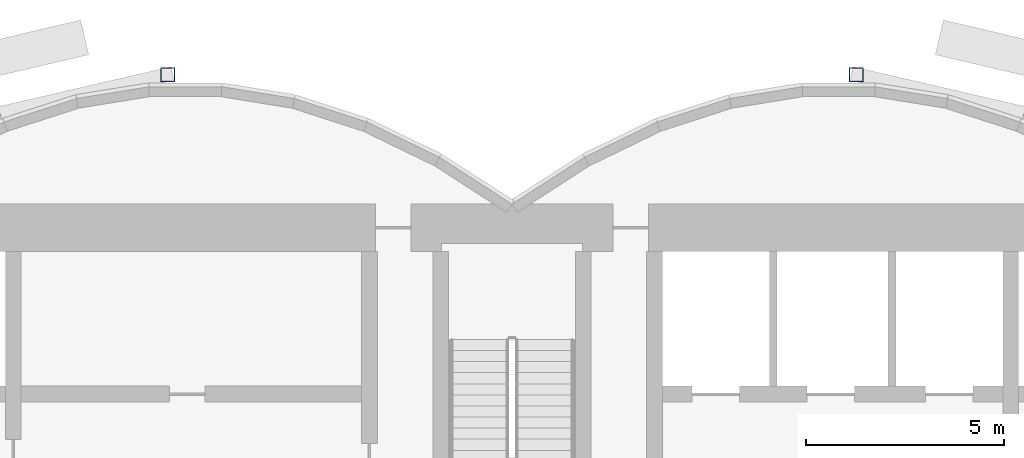
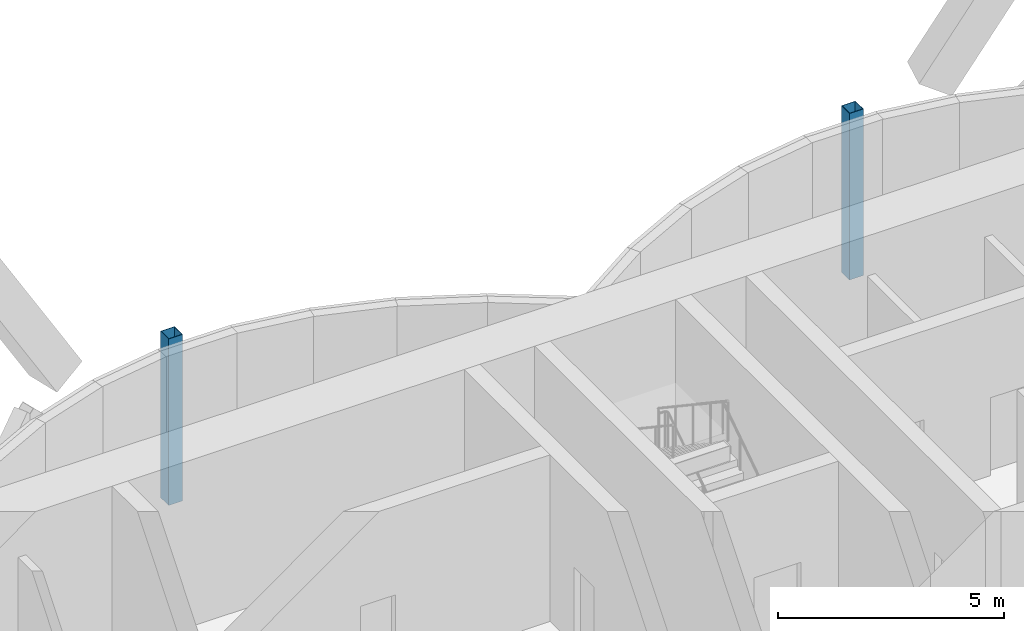
# One storey, part 3 of 20: 2 columns.
"""IFC4 building model written with IfcOpenShell, lengths in metres."""

from ifc_helpers import new_model, si_unit, direction, frame, origin, origin_2d, place, context, subcontext, project, spatial, hollow_rectangle, extrude, material, material_profile, profile_set, type_object, element, save


model = new_model("IFC4")

# Units and contexts
model_context = context("Model", 3, precision=1e-05, world=origin(), true_north=direction((0.0, 1.0)))
body_context = subcontext(model_context, "Body", "Model", "MODEL_VIEW")
ifc_project = project(units=[si_unit("LENGTHUNIT", "METRE"), si_unit("AREAUNIT", "SQUARE_METRE"), si_unit("VOLUMEUNIT", "CUBIC_METRE"), si_unit("PLANEANGLEUNIT", "RADIAN"), si_unit("MASSUNIT", "GRAM", prefix="KILO")], contexts=[model_context])

# Site, building, storey
site_placement = place(None, origin())
site = spatial("IfcSite", under=ifc_project, at=site_placement, CompositionType="ELEMENT")
building_placement = place(site_placement, origin())
building = spatial("IfcBuilding", under=site, at=building_placement, Name="Bicima Exchange Tower", CompositionType="ELEMENT")
storey_placement = place(building_placement, frame((0.0, 0.0, 306.5)))
storey = spatial("IfcBuildingStorey", under=building, at=storey_placement, Name="L69", CompositionType="ELEMENT", Elevation=306.5)

# Columns
ifc_material = material(Name="Steel ASTM A572 Gr 50", Category="steel")
ifc_material_profile = material_profile(ifc_material, hollow_rectangle(XDim=0.355712890625, YDim=0.355712890625, WallThickness=0.01171875, at=origin_2d()))
ifc_profile_set = profile_set([ifc_material_profile], Name="Steel ASTM A572 Gr 50")
column_type = type_object("IfcColumnType", Name="Rear pilaster HSS14x14x1/2", PredefinedType="COLUMN", material=ifc_profile_set)
for number, where, z_axis, x_axis, name in (
    (1, (-8.699951171875, 3.26904296875, 0.0), (0.0, 0.0, 1.0), (1.0, 0.0, 0.0), "Rear pilaster rexo-8.7r"),
    (2, (8.699951171875, 3.26904296875, 0.0), (0.0, 0.0, 1.0), (1.0, 0.0, 0.0), "Rear pilaster rexo+8.7r"),
):
    element("IfcColumn", number, at=place(storey_placement, frame(where, z_axis=z_axis, x_axis=x_axis)), inside=storey, type_object=column_type, Name=name, PredefinedType="COLUMN", context=body_context, shape_type="SweptSolid", body=[
        extrude(hollow_rectangle(XDim=0.355712890625, YDim=0.355712890625, WallThickness=0.01171875, at=origin_2d()), origin(), (0.0, 0.0, 1.0), 4.5),
    ])

save(model, "model.ifc")
